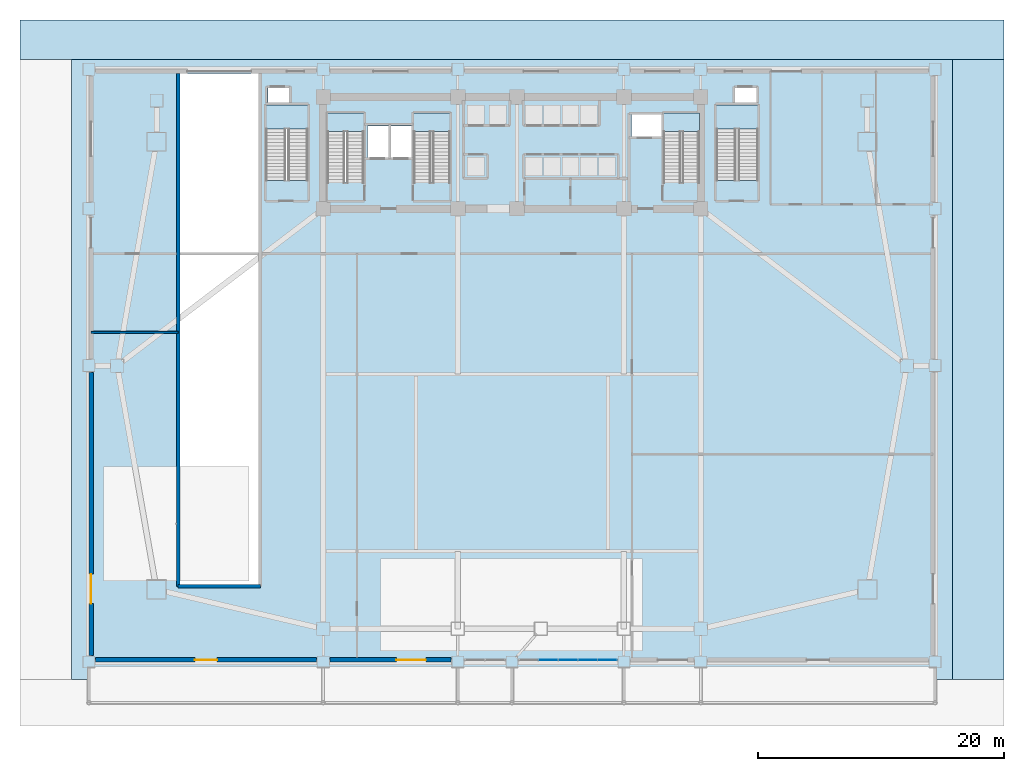
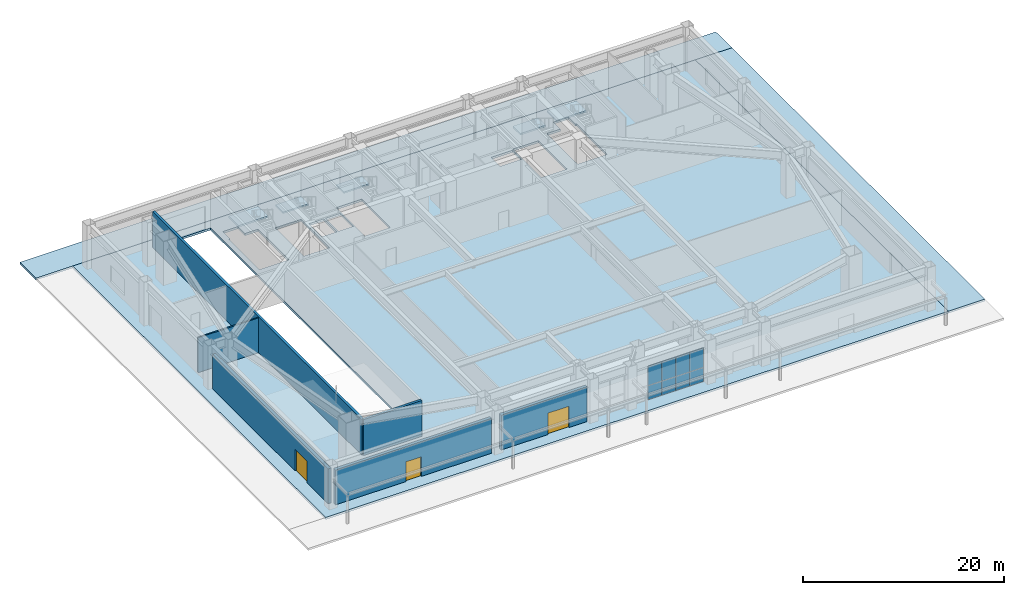
# One storey, part 8 of 18: 8 plates, 8 slabs, 6 walls, 3 doors, 3 openings, 6 elements without a shape of their own.
"""IFC4 building model written with IfcOpenShell, lengths in metres."""

from ifc_helpers import new_model, si_unit, direction, frame, frame_2d, origin, origin_2d, place, context, subcontext, project, spatial, polyline, rectangle, outline, extrude, source, transform, mapped, material, layer, layer_set, type_object, element, fill, aggregate, save


model = new_model("IFC4")

# Units and contexts
model_context = context("Model", 3, precision=1e-05, world=origin(), true_north=direction((0.0, 1.0)))
body_context = subcontext(model_context, "Body", "Model", "MODEL_VIEW")
ifc_project = project(units=[si_unit("LENGTHUNIT", "METRE"), si_unit("AREAUNIT", "SQUARE_METRE"), si_unit("VOLUMEUNIT", "CUBIC_METRE"), si_unit("PLANEANGLEUNIT", "RADIAN"), si_unit("MASSUNIT", "GRAM", prefix="KILO")], contexts=[model_context])

# Site, building, storey
site_placement = place(None, origin())
site = spatial("IfcSite", under=ifc_project, at=site_placement, CompositionType="ELEMENT")
building_placement = place(site_placement, origin())
building = spatial("IfcBuilding", under=site, at=building_placement, Name="Giltprow Tower", CompositionType="ELEMENT")
storey_placement = place(building_placement, origin())
storey = spatial("IfcBuildingStorey", under=building, at=storey_placement, Name="L01", CompositionType="ELEMENT", Elevation=0.0)

# Slabs
ifc_material_1 = material(Name="Concrete C40", Category="concrete")
ifc_layer_1 = layer(ifc_material_1, 0.260009765625, Name="Concrete C40")
ifc_layer_set_1 = layer_set([ifc_layer_1], Name="Concrete C40")
slab_type_1 = type_object("IfcSlabType", Name="SLB-POD-260", PredefinedType="FLOOR", material=ifc_layer_set_1)
slab_1_placement = place(storey_placement, frame((0.0, 0.0, -0.260009765625)))
element("IfcSlab", 1, at=slab_1_placement, inside=storey, type_object=slab_type_1, Name="L01 Structural Composite Floor Slab", PredefinedType="FLOOR", context=body_context, shape_type="SweptSolid", body=[
    extrude(outline(polyline([(-0.60009765625, 49.60009765625), (71.0, 49.60009765625), (71.0, -0.800048828125), (-0.60009765625, -0.800048828125), (-0.60009765625, 49.60009765625)]), holes=[polyline([(14.60009765625, 48.469970703125), (8.199951171875, 48.469970703125), (8.199951171875, 6.89990234375), (14.60009765625, 6.89990234375), (14.60009765625, 48.469970703125)]), polyline([(23.159912109375, 45.25), (20.199951171875, 45.25), (20.199951171875, 39.570068359375), (23.159912109375, 39.570068359375), (23.159912109375, 45.25)]), polyline([(18.60009765625, 45.89990234375), (17.070068359375, 45.89990234375), (17.070068359375, 47.300048828125), (15.35009765625, 47.300048828125), (15.35009765625, 45.89990234375), (15.199951171875, 45.89990234375), (15.199951171875, 39.77001953125), (18.60009765625, 39.77001953125), (18.60009765625, 45.89990234375)]), polyline([(25.169921875, 41.60009765625), (25.169921875, 44.199951171875), (23.449951171875, 44.199951171875), (23.449951171875, 41.60009765625), (25.169921875, 41.60009765625)]), polyline([(27.10009765625, 41.60009765625), (27.10009765625, 44.199951171875), (25.35009765625, 44.199951171875), (25.35009765625, 41.60009765625), (27.10009765625, 41.60009765625)]), polyline([(30.159912109375, 39.570068359375), (30.159912109375, 45.25), (27.199951171875, 45.25), (27.199951171875, 39.570068359375), (30.159912109375, 39.570068359375)]), polyline([(50.4599609375, 39.570068359375), (50.4599609375, 45.25), (47.5, 45.25), (47.5, 39.570068359375), (50.4599609375, 39.570068359375)]), polyline([(55.199951171875, 39.77001953125), (55.199951171875, 45.89990234375), (55.070068359375, 45.89990234375), (55.070068359375, 47.300048828125), (53.35009765625, 47.300048828125), (53.35009765625, 45.89990234375), (51.800048828125, 45.89990234375), (51.800048828125, 39.77001953125), (55.199951171875, 39.77001953125)]), polyline([(47.3798828125, 43.300048828125), (47.3798828125, 45.10009765625), (44.919921875, 45.10009765625), (44.919921875, 43.300048828125), (47.3798828125, 43.300048828125)])]), origin(), (0.0, 0.0, 1.0), 0.260009765625),
])
ifc_layer_2 = layer(ifc_material_1, 0.239990234375, Name="Concrete C40")
ifc_layer_set_2 = layer_set([ifc_layer_2], Name="Concrete C40")
slab_type_2 = type_object("IfcSlabType", Name="SLB-PROM-PAVING-240", PredefinedType="USERDEFINED", material=ifc_layer_set_2)
slab_2_placement = place(storey_placement, frame((0.0, 0.0, -0.239990234375)))
element("IfcSlab", 2, at=slab_2_placement, inside=storey, type_object=slab_type_2, Name="East Podium Pedestrian Sidewalk", ObjectType="PAVING", PredefinedType="USERDEFINED", context=body_context, shape_type="SweptSolid", body=[
    extrude(outline(polyline([(71.0, -0.800048828125), (75.199951171875, -0.800048828125), (75.199951171875, 49.60009765625), (71.0, 49.60009765625), (71.0, -0.800048828125)])), origin(), (0.0, 0.0, 1.0), 0.239990234375),
])
slab_3_placement = place(storey_placement, frame((0.0, 0.0, -0.239990234375)))
element("IfcSlab", 3, at=slab_3_placement, inside=storey, type_object=slab_type_2, Name="North Street Forecourt and Vehicle Driveway Apron", ObjectType="PAVING", PredefinedType="USERDEFINED", context=body_context, shape_type="SweptSolid", body=[
    extrude(outline(polyline([(-4.800048828125, 49.60009765625), (75.199951171875, 49.60009765625), (75.199951171875, 52.800048828125), (-4.800048828125, 52.800048828125), (-4.800048828125, 49.60009765625)])), origin(), (0.0, 0.0, 1.0), 0.239990234375),
])

# Stair, slab
stair_type_1 = type_object("IfcStairType", Name="STR-ST-1", PredefinedType="HALF_TURN_STAIR", material=ifc_material_1)
stair_1_placement = place(storey_placement, origin())
stair_1 = element("IfcStair", 4, at=stair_1_placement, inside=storey, type_object=stair_type_1, Name="L01 Core Exit Stair ST-1", PredefinedType="HALF_TURN_STAIR")
ifc_layer_3 = layer(ifc_material_1, 0.179931640625, Name="Concrete C40")
ifc_layer_set_3 = layer_set([ifc_layer_3], Name="Concrete C40")
slab_type_3 = type_object("IfcSlabType", Name="SLD-ST-1", PredefinedType="LANDING", material=ifc_layer_set_3)
slab_4_placement = place(storey_placement, frame((0.0, 0.0, 2.6201171875)))
slab_4 = element("IfcSlab", 5, at=slab_4_placement, type_object=slab_type_3, Name="ST-1 landing 1", PredefinedType="LANDING", context=body_context, shape_type="SweptSolid", body=[
    extrude(outline(polyline([(23.159912109375, 43.75), (23.159912109375, 45.25), (20.199951171875, 45.25), (20.199951171875, 43.75), (23.159912109375, 43.75)])), origin(), (0.0, 0.0, 1.0), 0.179931640625),
])
aggregate(stair_1, [slab_4])

stair_type_2 = type_object("IfcStairType", Name="STR-ST-2", PredefinedType="HALF_TURN_STAIR", material=ifc_material_1)
stair_2_placement = place(storey_placement, origin())
stair_2 = element("IfcStair", 6, at=stair_2_placement, inside=storey, type_object=stair_type_2, Name="L01 Core Exit Stair ST-2", PredefinedType="HALF_TURN_STAIR")
ifc_layer_4 = layer(ifc_material_1, 0.18798828125, Name="Concrete C40")
ifc_layer_set_4 = layer_set([ifc_layer_4], Name="Concrete C40")
slab_type_4 = type_object("IfcSlabType", Name="SLD-ST-2", PredefinedType="LANDING", material=ifc_layer_set_4)
slab_5_placement = place(storey_placement, frame((0.0, 0.0, 2.612060546875)))
slab_5 = element("IfcSlab", 7, at=slab_5_placement, type_object=slab_type_4, Name="ST-2 landing 1", PredefinedType="LANDING", context=body_context, shape_type="SweptSolid", body=[
    extrude(outline(polyline([(30.159912109375, 43.75), (30.159912109375, 45.25), (27.199951171875, 45.25), (27.199951171875, 43.75), (30.159912109375, 43.75)])), origin(), (0.0, 0.0, 1.0), 0.18798828125),
])
aggregate(stair_2, [slab_5])

stair_type_3 = type_object("IfcStairType", Name="STR-ST-3", PredefinedType="HALF_TURN_STAIR", material=ifc_material_1)
stair_3_placement = place(storey_placement, origin())
stair_3 = element("IfcStair", 8, at=stair_3_placement, inside=storey, type_object=stair_type_3, Name="L01 Core Exit Stair ST-3", PredefinedType="HALF_TURN_STAIR")
ifc_layer_5 = layer(ifc_material_1, 0.196044921875, Name="Concrete C40")
ifc_layer_set_5 = layer_set([ifc_layer_5], Name="Concrete C40")
slab_type_5 = type_object("IfcSlabType", Name="SLD-ST-3", PredefinedType="LANDING", material=ifc_layer_set_5)
slab_6_placement = place(storey_placement, frame((0.0, 0.0, 2.60400390625)))
slab_6 = element("IfcSlab", 9, at=slab_6_placement, type_object=slab_type_5, Name="ST-3 landing 1", PredefinedType="LANDING", context=body_context, shape_type="SweptSolid", body=[
    extrude(outline(polyline([(50.4599609375, 43.75), (50.4599609375, 45.25), (47.5, 45.25), (47.5, 43.75), (50.4599609375, 43.75)])), origin(), (0.0, 0.0, 1.0), 0.196044921875),
])
aggregate(stair_3, [slab_6])

stair_type_4 = type_object("IfcStairType", Name="STR-ST-P1", PredefinedType="HALF_TURN_STAIR", material=ifc_material_1)
stair_4_placement = place(storey_placement, origin())
stair_4 = element("IfcStair", 10, at=stair_4_placement, inside=storey, type_object=stair_type_4, Name="L01 Podium Exit Stair ST-P1", PredefinedType="HALF_TURN_STAIR")
ifc_layer_6 = layer(ifc_material_1, 0.2041015625, Name="Concrete C40")
ifc_layer_set_6 = layer_set([ifc_layer_6], Name="Concrete C40")
slab_type_6 = type_object("IfcSlabType", Name="SLD-ST-P1", PredefinedType="LANDING", material=ifc_layer_set_6)
slab_7_placement = place(storey_placement, frame((0.0, 0.0, 2.595947265625)))
slab_7 = element("IfcSlab", 11, at=slab_7_placement, type_object=slab_type_6, Name="ST-P1 landing 1", PredefinedType="LANDING", context=body_context, shape_type="SweptSolid", body=[
    extrude(outline(polyline([(18.60009765625, 43.949951171875), (18.60009765625, 45.89990234375), (15.199951171875, 45.89990234375), (15.199951171875, 43.949951171875), (18.60009765625, 43.949951171875)])), origin(), (0.0, 0.0, 1.0), 0.2041015625),
])
aggregate(stair_4, [slab_7])

stair_type_5 = type_object("IfcStairType", Name="STR-ST-P2", PredefinedType="HALF_TURN_STAIR", material=ifc_material_1)
stair_5_placement = place(storey_placement, origin())
stair_5 = element("IfcStair", 12, at=stair_5_placement, inside=storey, type_object=stair_type_5, Name="L01 Podium Exit Stair ST-P2", PredefinedType="HALF_TURN_STAIR")
ifc_layer_7 = layer(ifc_material_1, 0.2119140625, Name="Concrete C40")
ifc_layer_set_7 = layer_set([ifc_layer_7], Name="Concrete C40")
slab_type_7 = type_object("IfcSlabType", Name="SLD-ST-P2", PredefinedType="LANDING", material=ifc_layer_set_7)
slab_8_placement = place(storey_placement, frame((0.0, 0.0, 2.587890625)))
slab_8 = element("IfcSlab", 13, at=slab_8_placement, type_object=slab_type_7, Name="ST-P2 landing 1", PredefinedType="LANDING", context=body_context, shape_type="SweptSolid", body=[
    extrude(outline(polyline([(55.199951171875, 43.949951171875), (55.199951171875, 45.89990234375), (51.800048828125, 45.89990234375), (51.800048828125, 43.949951171875), (55.199951171875, 43.949951171875)])), origin(), (0.0, 0.0, 1.0), 0.212158203125),
])
aggregate(stair_5, [slab_8])

# Curtain wall, plates
ifc_material_2 = material(Name="Anodized bronze", Category="metal")
ifc_layer_8 = layer(ifc_material_2, 0.179931640625, Name="Anodized bronze")
ifc_layer_set_8 = layer_set([ifc_layer_8], Name="Anodized bronze")
curtain_wall_type = type_object("IfcCurtainWallType", Name="CW-POD-STOREFRONT", PredefinedType="NOTDEFINED", material=ifc_layer_set_8)
curtain_wall_placement = place(storey_placement, origin())
curtain_wall = element("IfcCurtainWall", 14, at=curtain_wall_placement, inside=storey, type_object=curtain_wall_type, Name="L01 South Waterfront Storefront 4", PredefinedType="NOTDEFINED")
ifc_material_3 = material(Name="Insulated glass", Category="glass")
plate_type = type_object("IfcPlateType", Name="CW-PANEL-IGU-28", PredefinedType="CURTAIN_PANEL", material=ifc_material_3)
shared_shape_1 = source(origin(), body_context, "Body", "SweptSolid", [
    extrude(rectangle(XDim=1.570068359375, YDim=0.028076171875, at=origin_2d()), origin(), (0.0, 0.0, 1.0), 1.7041015625),
])
plate_1_placement = place(storey_placement, frame((38.14990234375, 0.780029296875, 0.053955078125), z_axis=(0.0, 0.0, 1.0), x_axis=(1.0, 0.0, 0.0)))
plate_1 = element("IfcPlate", 15, at=plate_1_placement, type_object=plate_type, Name="L01 South Waterfront Storefront 4 Glazing Panel 2-1", PredefinedType="CURTAIN_PANEL", context=body_context, shape_type="MappedRepresentation", body=[
    mapped(shared_shape_1, transform((0.0, 0.0, 0.0), x_axis=(1.0, 0.0, 0.0), y_axis=(0.0, 1.0, 0.0), z_axis=(0.0, 0.0, 1.0), scale=1.0)),
])
plate_2_placement = place(storey_placement, frame((39.75, 0.780029296875, 0.053955078125), z_axis=(0.0, 0.0, 1.0), x_axis=(1.0, 0.0, 0.0)))
plate_2 = element("IfcPlate", 16, at=plate_2_placement, type_object=plate_type, Name="L01 South Waterfront Storefront 4 Glazing Panel 3-1", PredefinedType="CURTAIN_PANEL", context=body_context, shape_type="MappedRepresentation", body=[
    mapped(shared_shape_1, transform((0.0, 0.0, 0.0), x_axis=(1.0, 0.0, 0.0), y_axis=(0.0, 1.0, 0.0), z_axis=(0.0, 0.0, 1.0), scale=1.0)),
])
plate_3_placement = place(storey_placement, frame((41.35009765625, 0.780029296875, 0.053955078125), z_axis=(0.0, 0.0, 1.0), x_axis=(1.0, 0.0, 0.0)))
plate_3 = element("IfcPlate", 17, at=plate_3_placement, type_object=plate_type, Name="L01 South Waterfront Storefront 4 Glazing Panel 4-1", PredefinedType="CURTAIN_PANEL", context=body_context, shape_type="MappedRepresentation", body=[
    mapped(shared_shape_1, transform((0.0, 0.0, 0.0), x_axis=(1.0, 0.0, 0.0), y_axis=(0.0, 1.0, 0.0), z_axis=(0.0, 0.0, 1.0), scale=1.0)),
])
plate_4_placement = place(storey_placement, frame((42.949951171875, 0.780029296875, 0.053955078125), z_axis=(0.0, 0.0, 1.0), x_axis=(1.0, 0.0, 0.0)))
plate_4 = element("IfcPlate", 18, at=plate_4_placement, type_object=plate_type, Name="L01 South Waterfront Storefront 4 Glazing Panel 5-1", PredefinedType="CURTAIN_PANEL", context=body_context, shape_type="MappedRepresentation", body=[
    mapped(shared_shape_1, transform((0.0, 0.0, 0.0), x_axis=(1.0, 0.0, 0.0), y_axis=(0.0, 1.0, 0.0), z_axis=(0.0, 0.0, 1.0), scale=1.0)),
])
shared_shape_2 = source(origin(), body_context, "Body", "SweptSolid", [
    extrude(rectangle(XDim=1.570068359375, YDim=0.028076171875, at=origin_2d()), origin(), (0.0, 0.0, 1.0), 2.3798828125),
])
plate_5_placement = place(storey_placement, frame((38.14990234375, 0.780029296875, 1.7861328125), z_axis=(0.0, 0.0, 1.0), x_axis=(1.0, 0.0, 0.0)))
plate_5 = element("IfcPlate", 19, at=plate_5_placement, type_object=plate_type, Name="L01 South Waterfront Storefront 4 Glazing Panel 2-2", PredefinedType="CURTAIN_PANEL", context=body_context, shape_type="MappedRepresentation", body=[
    mapped(shared_shape_2, transform((0.0, 0.0, 0.0), x_axis=(1.0, 0.0, 0.0), y_axis=(0.0, 1.0, 0.0), z_axis=(0.0, 0.0, 1.0), scale=1.0)),
])
plate_6_placement = place(storey_placement, frame((39.75, 0.780029296875, 1.7861328125), z_axis=(0.0, 0.0, 1.0), x_axis=(1.0, 0.0, 0.0)))
plate_6 = element("IfcPlate", 20, at=plate_6_placement, type_object=plate_type, Name="L01 South Waterfront Storefront 4 Glazing Panel 3-2", PredefinedType="CURTAIN_PANEL", context=body_context, shape_type="MappedRepresentation", body=[
    mapped(shared_shape_2, transform((0.0, 0.0, 0.0), x_axis=(1.0, 0.0, 0.0), y_axis=(0.0, 1.0, 0.0), z_axis=(0.0, 0.0, 1.0), scale=1.0)),
])
plate_7_placement = place(storey_placement, frame((41.35009765625, 0.780029296875, 1.7861328125), z_axis=(0.0, 0.0, 1.0), x_axis=(1.0, 0.0, 0.0)))
plate_7 = element("IfcPlate", 21, at=plate_7_placement, type_object=plate_type, Name="L01 South Waterfront Storefront 4 Glazing Panel 4-2", PredefinedType="CURTAIN_PANEL", context=body_context, shape_type="MappedRepresentation", body=[
    mapped(shared_shape_2, transform((0.0, 0.0, 0.0), x_axis=(1.0, 0.0, 0.0), y_axis=(0.0, 1.0, 0.0), z_axis=(0.0, 0.0, 1.0), scale=1.0)),
])
plate_8_placement = place(storey_placement, frame((42.949951171875, 0.780029296875, 1.7861328125), z_axis=(0.0, 0.0, 1.0), x_axis=(1.0, 0.0, 0.0)))
plate_8 = element("IfcPlate", 22, at=plate_8_placement, type_object=plate_type, Name="L01 South Waterfront Storefront 4 Glazing Panel 5-2", PredefinedType="CURTAIN_PANEL", context=body_context, shape_type="MappedRepresentation", body=[
    mapped(shared_shape_2, transform((0.0, 0.0, 0.0), x_axis=(1.0, 0.0, 0.0), y_axis=(0.0, 1.0, 0.0), z_axis=(0.0, 0.0, 1.0), scale=1.0)),
])
aggregate(curtain_wall, [plate_1, plate_5, plate_2, plate_6, plate_3, plate_7, plate_4, plate_8])

# Wall, opening, door
ifc_material_4 = material(Name="Precast concrete C40", Category="concrete")
ifc_layer_9 = layer(ifc_material_4, 0.360107421875, Name="Precast concrete C40")
ifc_layer_set_9 = layer_set([ifc_layer_9], Name="Precast concrete C40")
wall_type_1 = type_object("IfcWallType", Name="EW-POD-STONE-360", PredefinedType="SOLIDWALL", material=ifc_layer_set_9)
wall_1_placement = place(storey_placement, frame((1.35009765625, 0.780029296875, 0.0), z_axis=(0.0, 0.0, 1.0), x_axis=(1.0, 0.0, 0.0)))
wall_1 = element("IfcWall", 23, at=wall_1_placement, inside=storey, type_object=wall_type_1, Name="L01 South Podium Masonry Wall 1", PredefinedType="SOLIDWALL", context=body_context, shape_type="SweptSolid", body=[
    extrude(rectangle(XDim=17.949951171875, YDim=0.360107421875, at=frame_2d((8.97509765625, 0.0))), origin(), (0.0, 0.0, 1.0), 4.219970703125),
])
opening_1_placement = place(wall_1_placement, frame((8.074951171875, 0.0, 0.0)))
opening_1 = element("IfcOpeningElement", 24, at=opening_1_placement, cuts=wall_1, Name="Opening ED23", PredefinedType="OPENING", context=body_context, shape_type="SweptSolid", body=[
    extrude(rectangle(XDim=1.800048828125, YDim=2.39990234375, at=frame_2d((0.89990234375, 1.199951171875))), frame((0.0, 0.18994140625, 0.0), z_axis=(0.0, -1.0, 0.0), x_axis=(1.0, 0.0, 0.0)), (0.0, 0.0, 1.0), 0.380126953125),
])
ifc_material_5 = material(Name="Anodized bronze and glass", Category="glass")
door_type_1 = type_object("IfcDoorType", Name="DR-EXT-RETAIL-1800", OperationType="DOUBLE_SWING_RIGHT", PredefinedType="DOOR", material=ifc_material_5)
shared_shape_3 = source(origin(), body_context, "Body", "SweptSolid", [
    extrude(rectangle(XDim=1.800048828125, YDim=2.39990234375, at=frame_2d((0.89990234375, 1.199951171875))), frame((0.0, 0.02490234375, 0.0), z_axis=(0.0, -1.0, 0.0), x_axis=(1.0, 0.0, 0.0)), (0.0, 0.0, 1.0), 0.050048828125),
])
door_1_placement = place(opening_1_placement, frame((1.800048828125, 0.0, 0.0), z_axis=(0.0, 0.0, 1.0), x_axis=(-1.0, 0.0, 0.0)))
door_1 = element("IfcDoor", 25, at=door_1_placement, inside=storey, type_object=door_type_1, Name="L01 Waterfront Entrance Door S-1", OperationType="DOUBLE_SWING_LEFT", OverallHeight=2.39990234375, OverallWidth=1.800048828125, PredefinedType="DOOR", context=body_context, shape_type="MappedRepresentation", body=[
    mapped(shared_shape_3, transform((0.0, 0.0, 0.0), x_axis=(1.0, 0.0, 0.0), y_axis=(0.0, 1.0, 0.0), z_axis=(0.0, 0.0, 1.0), scale=1.0)),
])
fill(opening_1, door_1)

wall_2_placement = place(storey_placement, frame((20.39990234375, 0.780029296875, 0.0), z_axis=(0.0, 0.0, 1.0), x_axis=(1.0, 0.0, 0.0)))
wall_2 = element("IfcWall", 26, at=wall_2_placement, inside=storey, type_object=wall_type_1, Name="L01 South Podium Masonry Wall 2", PredefinedType="SOLIDWALL", context=body_context, shape_type="SweptSolid", body=[
    extrude(rectangle(XDim=9.85009765625, YDim=0.360107421875, at=frame_2d((4.925048828125, 0.0))), origin(), (0.0, 0.0, 1.0), 4.219970703125),
])
opening_2_placement = place(wall_2_placement, frame((5.39990234375, 0.0, 0.0)))
opening_2 = element("IfcOpeningElement", 27, at=opening_2_placement, cuts=wall_2, Name="Opening ED29", PredefinedType="OPENING", context=body_context, shape_type="SweptSolid", body=[
    extrude(rectangle(XDim=2.39990234375, YDim=2.60009765625, at=frame_2d((1.199951171875, 1.300048828125))), frame((0.0, 0.18994140625, 0.0), z_axis=(0.0, -1.0, 0.0), x_axis=(1.0, 0.0, 0.0)), (0.0, 0.0, 1.0), 0.380126953125),
])
door_type_2 = type_object("IfcDoorType", Name="DR-EXT-LOBBY-2400", OperationType="DOUBLE_SWING_LEFT", PredefinedType="DOOR", material=ifc_material_5)
shared_shape_4 = source(origin(), body_context, "Body", "SweptSolid", [
    extrude(rectangle(XDim=2.39990234375, YDim=2.60009765625, at=frame_2d((1.199951171875, 1.300048828125))), frame((0.0, 0.02490234375, 0.0), z_axis=(0.0, -1.0, 0.0), x_axis=(1.0, 0.0, 0.0)), (0.0, 0.0, 1.0), 0.050048828125),
])
door_2_placement = place(opening_2_placement, frame((2.39990234375, 0.0, 0.0), z_axis=(0.0, 0.0, 1.0), x_axis=(-1.0, 0.0, 0.0)))
door_2 = element("IfcDoor", 28, at=door_2_placement, inside=storey, type_object=door_type_2, Name="L01 Waterfront Entrance Door S-2", OperationType="DOUBLE_SWING_RIGHT", OverallHeight=2.60009765625, OverallWidth=2.39990234375, PredefinedType="DOOR", context=body_context, shape_type="MappedRepresentation", body=[
    mapped(shared_shape_4, transform((0.0, 0.0, 0.0), x_axis=(1.0, 0.0, 0.0), y_axis=(0.0, 1.0, 0.0), z_axis=(0.0, 0.0, 1.0), scale=1.0)),
])
fill(opening_2, door_2)

wall_3_placement = place(storey_placement, frame((0.97998046875, 1.14990234375, 0.0), z_axis=(0.0, 0.0, 1.0), x_axis=(0.0, 1.0, 0.0)))
wall_3 = element("IfcWall", 29, at=wall_3_placement, inside=storey, type_object=wall_type_1, Name="L01 W Podium Masonry Wall 1", PredefinedType="SOLIDWALL", context=body_context, shape_type="SweptSolid", body=[
    extrude(rectangle(XDim=23.0, YDim=0.360107421875, at=frame_2d((11.5, 0.0))), origin(), (0.0, 0.0, 1.0), 4.219970703125),
])
opening_3_placement = place(wall_3_placement, frame((4.199951171875, 0.0, 0.0)))
opening_3 = element("IfcOpeningElement", 30, at=opening_3_placement, cuts=wall_3, Name="Opening ED29", PredefinedType="OPENING", context=body_context, shape_type="SweptSolid", body=[
    extrude(rectangle(XDim=2.39990234375, YDim=2.60009765625, at=frame_2d((1.199951171875, 1.300048828125))), frame((0.0, 0.18994140625, 0.0), z_axis=(0.0, -1.0, 0.0), x_axis=(1.0, 0.0, 0.0)), (0.0, 0.0, 1.0), 0.380126953125),
])
door_3_placement = place(opening_3_placement, origin())
door_3 = element("IfcDoor", 31, at=door_3_placement, inside=storey, type_object=door_type_2, Name="L01 W Concourse Final Exit Door 1", OperationType="DOUBLE_SWING_LEFT", OverallHeight=2.60009765625, OverallWidth=2.39990234375, PredefinedType="DOOR", context=body_context, shape_type="MappedRepresentation", body=[
    mapped(shared_shape_4, transform((0.0, 0.0, 0.0), x_axis=(1.0, 0.0, 0.0), y_axis=(0.0, 1.0, 0.0), z_axis=(0.0, 0.0, 1.0), scale=1.0)),
])
fill(opening_3, door_3)

# Walls
ifc_material_6 = material(Name="Gypsum stud partition", Category="gypsum")
ifc_layer_10 = layer(ifc_material_6, 0.159912109375, Name="Gypsum stud partition")
ifc_layer_set_10 = layer_set([ifc_layer_10], Name="Gypsum stud partition")
wall_type_2 = type_object("IfcWallType", Name="IW-DEMISE-160", PredefinedType="PARTITIONING", material=ifc_layer_set_10)
wall_4_placement = place(storey_placement, frame((0.97998046875, 27.39990234375, 0.0), z_axis=(0.0, 0.0, 1.0), x_axis=(1.0, 0.0, 0.0)))
element("IfcWall", 32, at=wall_4_placement, inside=storey, type_object=wall_type_2, Name="L01 Fire Command Centre South Wall", PredefinedType="PARTITIONING", context=body_context, shape_type="SweptSolid", body=[
    extrude(rectangle(XDim=7.080078125, YDim=0.159912109375, at=frame_2d((3.5400390625, 0.0))), origin(), (0.0, 0.0, 1.0), 4.22509765625),
])
ifc_layer_11 = layer(ifc_material_1, 0.280029296875, Name="Concrete C40")
ifc_layer_set_11 = layer_set([ifc_layer_11], Name="Concrete C40")
wall_type_3 = type_object("IfcWallType", Name="WL-RAMP-SHAFT-280", PredefinedType="SOLIDWALL", material=ifc_layer_set_11)
wall_5_placement = place(storey_placement, frame((8.06005859375, 6.760009765625, 0.0), z_axis=(0.0, 0.0, 1.0), x_axis=(0.0, 1.0, 0.0)))
element("IfcWall", 33, at=wall_5_placement, inside=storey, type_object=wall_type_3, Name="L01 West Ramp Bearing Wall W", PredefinedType="SOLIDWALL", context=body_context, shape_type="SweptSolid", body=[
    extrude(rectangle(XDim=41.699951171875, YDim=0.280029296875, at=frame_2d((20.85009765625, 0.0))), origin(), (0.0, 0.0, 1.0), 4.35009765625),
])
wall_6_placement = place(storey_placement, frame((8.06005859375, 6.760009765625, 0.0), z_axis=(0.0, 0.0, 1.0), x_axis=(1.0, 0.0, 0.0)))
element("IfcWall", 34, at=wall_6_placement, inside=storey, type_object=wall_type_3, Name="L01 West Ramp Opening Guard Wall S", PredefinedType="SOLIDWALL", context=body_context, shape_type="SweptSolid", body=[
    extrude(rectangle(XDim=6.679931640625, YDim=0.280029296875, at=frame_2d((3.33984375, 0.0))), origin(), (0.0, 0.0, 1.0), 4.35009765625),
])

save(model, "model.ifc")
